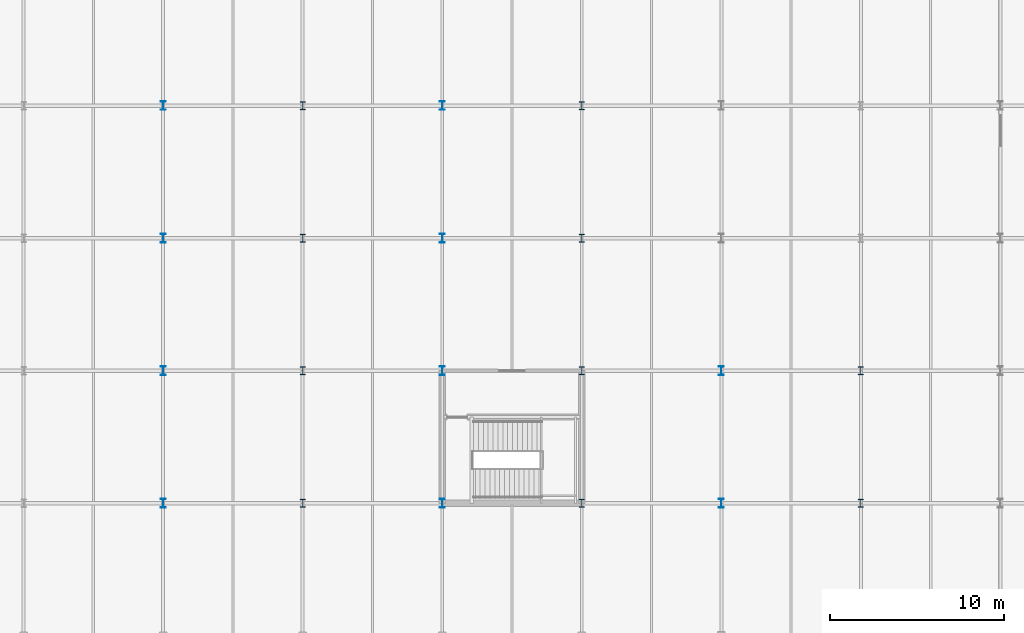
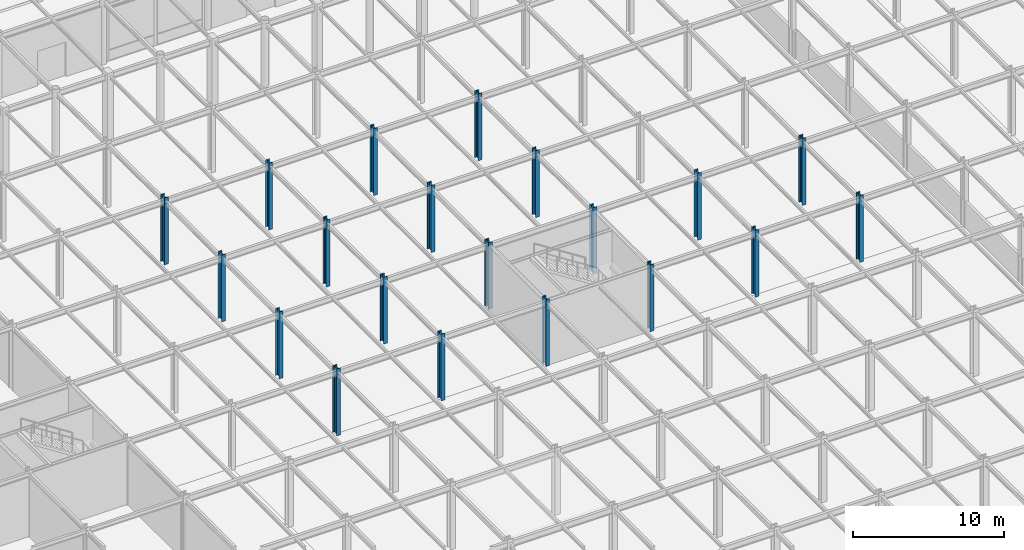
# One storey, part 13 of 89: 20 columns.
"""IFC4 building model written with IfcOpenShell, lengths in metres."""

from ifc_helpers import new_model, si_unit, direction, frame, origin, origin_2d, place, context, subcontext, project, spatial, i_section, extrude, material, material_profile, profile_set, type_object, element, save


model = new_model("IFC4")

# Units and contexts
model_context = context("Model", 3, precision=1e-05, world=origin(), true_north=direction((0.0, 1.0)))
body_context = subcontext(model_context, "Body", "Model", "MODEL_VIEW")
ifc_project = project(units=[si_unit("LENGTHUNIT", "METRE"), si_unit("AREAUNIT", "SQUARE_METRE"), si_unit("VOLUMEUNIT", "CUBIC_METRE"), si_unit("PLANEANGLEUNIT", "RADIAN"), si_unit("MASSUNIT", "GRAM", prefix="KILO")], contexts=[model_context])

# Site, building, storey
site_placement = place(None, origin())
site = spatial("IfcSite", under=ifc_project, at=site_placement, CompositionType="ELEMENT")
building_placement = place(site_placement, origin())
building = spatial("IfcBuilding", under=site, at=building_placement, Name="Shalkamar Park Central Library", CompositionType="ELEMENT")
storey_placement = place(building_placement, origin())
storey = spatial("IfcBuildingStorey", under=building, at=storey_placement, Name="L01", CompositionType="ELEMENT", Elevation=0.0)

# Columns
ifc_material = material(Name="Steel S355", Category="steel")
ifc_material_profile_1 = material_profile(ifc_material, i_section(OverallWidth=0.300048828125, OverallDepth=0.449951171875, WebThickness=0.013916015625, FlangeThickness=0.02587890625, FilletRadius=0.027099609375, at=origin_2d()), Name="HEB 450")
ifc_profile_set_1 = profile_set([ifc_material_profile_1], Name="Steel S355")
column_type_1 = type_object("IfcColumnType", Name="Column Steel HEB450", PredefinedType="COLUMN", material=ifc_profile_set_1)
for number, where, z_axis, x_axis, name in (
    (1, (189.0, 300.800048828125, 0.0), (0.0, 0.0, 1.0), (1.0, 0.0, 0.0), "Column 10/J (L01)"),
    (2, (189.0, 308.39990234375, 0.0), (0.0, 0.0, 1.0), (1.0, 0.0, 0.0), "Column 10/K (L01)"),
    (3, (189.0, 316.0, 0.0), (0.0, 0.0, 1.0), (1.0, 0.0, 0.0), "Column 10/L (L01)"),
    (4, (189.0, 323.60009765625, 0.0), (0.0, 0.0, 1.0), (1.0, 0.0, 0.0), "Column 10/M (L01)"),
    (5, (205.0, 300.800048828125, 0.0), (0.0, 0.0, 1.0), (1.0, 0.0, 0.0), "Column 12/J (L01)"),
    (6, (205.0, 308.39990234375, 0.0), (0.0, 0.0, 1.0), (1.0, 0.0, 0.0), "Column 12/K (L01)"),
    (7, (205.0, 316.0, 0.0), (0.0, 0.0, 1.0), (1.0, 0.0, 0.0), "Column 12/L (L01)"),
    (8, (205.0, 323.60009765625, 0.0), (0.0, 0.0, 1.0), (1.0, 0.0, 0.0), "Column 12/M (L01)"),
    (9, (221.0, 300.800048828125, 0.0), (0.0, 0.0, 1.0), (1.0, 0.0, 0.0), "Column 14/J (L01)"),
    (10, (221.0, 308.39990234375, 0.0), (0.0, 0.0, 1.0), (1.0, 0.0, 0.0), "Column 14/K (L01)"),
):
    element("IfcColumn", number, at=place(storey_placement, frame(where, z_axis=z_axis, x_axis=x_axis)), inside=storey, type_object=column_type_1, Name=name, PredefinedType="COLUMN", context=body_context, shape_type="SweptSolid", body=[
        extrude(i_section(OverallWidth=0.300048828125, OverallDepth=0.449951171875, WebThickness=0.013916015625, FlangeThickness=0.02587890625, FilletRadius=0.027099609375, at=origin_2d()), origin(), (0.0, 0.0, 1.0), 5.39990234375),
    ])
ifc_material_profile_2 = material_profile(ifc_material, i_section(OverallWidth=0.300048828125, OverallDepth=0.5, WebThickness=0.014404296875, FlangeThickness=0.028076171875, FilletRadius=0.027099609375, at=origin_2d()), Name="HEB 500")
ifc_profile_set_2 = profile_set([ifc_material_profile_2], Name="Steel S355")
column_type_2 = type_object("IfcColumnType", Name="Column Steel HEB500", PredefinedType="COLUMN", material=ifc_profile_set_2)
for number, where, z_axis, x_axis, name in (
    (11, (181.0, 300.800048828125, 0.0), (0.0, 0.0, 1.0), (1.0, 0.0, 0.0), "Column 09/J (L01)"),
    (12, (181.0, 308.39990234375, 0.0), (0.0, 0.0, 1.0), (1.0, 0.0, 0.0), "Column 09/K (L01)"),
    (13, (181.0, 316.0, 0.0), (0.0, 0.0, 1.0), (1.0, 0.0, 0.0), "Column 09/L (L01)"),
    (14, (181.0, 323.60009765625, 0.0), (0.0, 0.0, 1.0), (1.0, 0.0, 0.0), "Column 09/M (L01)"),
    (15, (197.0, 300.800048828125, 0.0), (0.0, 0.0, 1.0), (1.0, 0.0, 0.0), "Column 11/J (L01)"),
    (16, (197.0, 308.39990234375, 0.0), (0.0, 0.0, 1.0), (1.0, 0.0, 0.0), "Column 11/K (L01)"),
    (17, (197.0, 316.0, 0.0), (0.0, 0.0, 1.0), (1.0, 0.0, 0.0), "Column 11/L (L01)"),
    (18, (197.0, 323.60009765625, 0.0), (0.0, 0.0, 1.0), (1.0, 0.0, 0.0), "Column 11/M (L01)"),
    (19, (213.0, 300.800048828125, 0.0), (0.0, 0.0, 1.0), (1.0, 0.0, 0.0), "Column 13/J (L01)"),
    (20, (213.0, 308.39990234375, 0.0), (0.0, 0.0, 1.0), (1.0, 0.0, 0.0), "Column 13/K (L01)"),
):
    element("IfcColumn", number, at=place(storey_placement, frame(where, z_axis=z_axis, x_axis=x_axis)), inside=storey, type_object=column_type_2, Name=name, PredefinedType="COLUMN", context=body_context, shape_type="SweptSolid", body=[
        extrude(i_section(OverallWidth=0.300048828125, OverallDepth=0.5, WebThickness=0.014404296875, FlangeThickness=0.028076171875, FilletRadius=0.027099609375, at=origin_2d()), origin(), (0.0, 0.0, 1.0), 5.39990234375),
    ])

save(model, "model.ifc")
